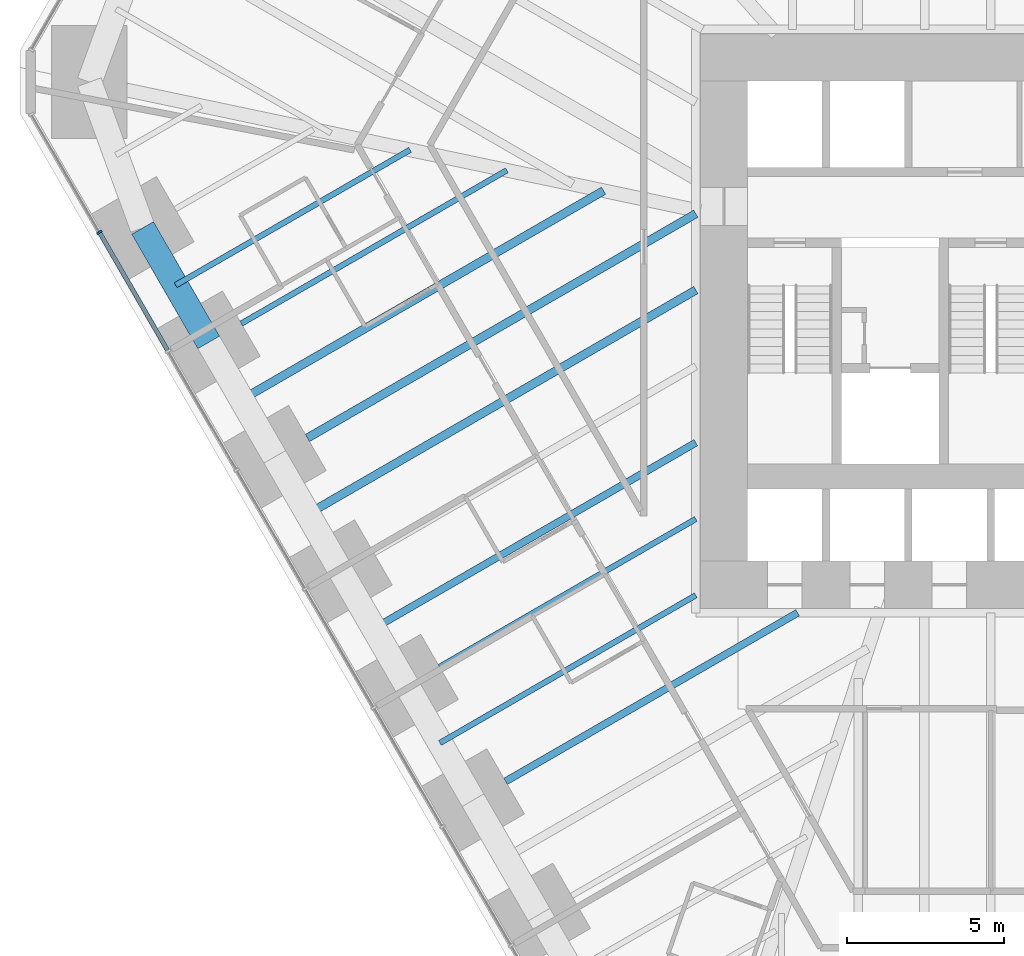
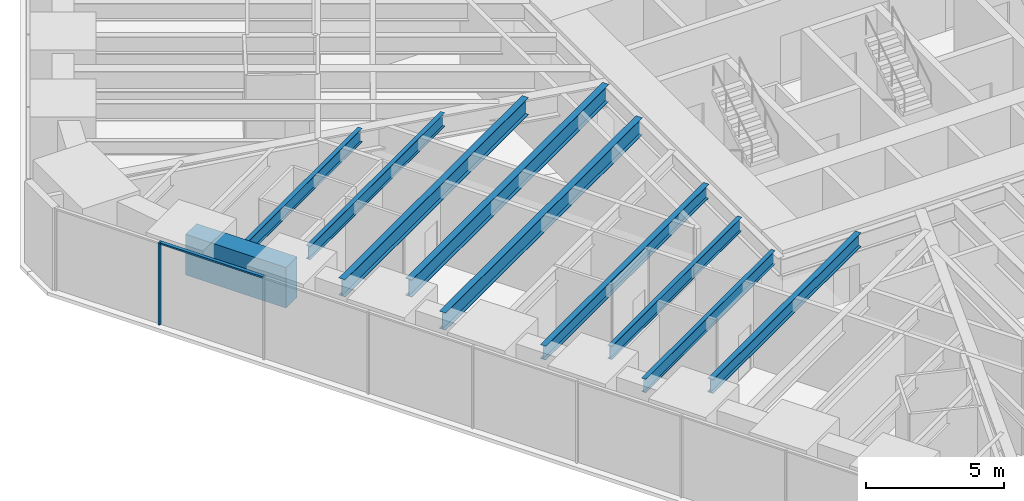
# One storey, part 3 of 17: 10 beams, 2 members, 1 element without a shape of its own.
"""IFC4 building model written with IfcOpenShell, lengths in metres."""

from ifc_helpers import new_model, si_unit, direction, frame, origin, origin_2d, place, context, subcontext, project, spatial, rectangle, i_section, extrude, material, material_profile, profile_set, type_object, element, aggregate, save


model = new_model("IFC4")

# Units and contexts
model_context = context("Model", 3, precision=1e-05, world=origin(), true_north=direction((0.0, 1.0)))
body_context = subcontext(model_context, "Body", "Model", "MODEL_VIEW")
ifc_project = project(units=[si_unit("LENGTHUNIT", "METRE"), si_unit("AREAUNIT", "SQUARE_METRE"), si_unit("VOLUMEUNIT", "CUBIC_METRE"), si_unit("PLANEANGLEUNIT", "RADIAN"), si_unit("MASSUNIT", "GRAM", prefix="KILO")], contexts=[model_context])

# Site, building, storey
site_placement = place(None, origin())
site = spatial("IfcSite", under=ifc_project, at=site_placement, CompositionType="ELEMENT")
building_placement = place(site_placement, origin())
building = spatial("IfcBuilding", under=site, at=building_placement, Name="Sandreach Pilgrim Tower", CompositionType="ELEMENT")
storey_placement = place(building_placement, frame((0.0, 0.0, 26.800048828125)))
storey = spatial("IfcBuildingStorey", under=building, at=storey_placement, Name="L05", CompositionType="ELEMENT", Elevation=26.800048828125)

# Curtain wall, members
ifc_material_1 = material(Name="Aluminium framed curtain wall", Category="aluminium")
curtain_wall_type = type_object("IfcCurtainWallType", Name="Hostel tower curtain wall", PredefinedType="NOTDEFINED", material=ifc_material_1)
curtain_wall_placement = place(storey_placement, origin())
curtain_wall = element("IfcCurtainWall", 1, at=curtain_wall_placement, inside=storey, type_object=curtain_wall_type, Name="CW-1 L05 SW", PredefinedType="NOTDEFINED")
ifc_material_2 = material(Name="Aluminium extrusion", Category="aluminium")
ifc_material_profile_1 = material_profile(ifc_material_2, rectangle(XDim=0.06494140625, YDim=0.179931640625, at=origin_2d()), Name="CW-1M 65X180")
ifc_profile_set_1 = profile_set([ifc_material_profile_1], Name="Aluminium extrusion")
member_type_1 = type_object("IfcMemberType", Name="CW-1 mullion", PredefinedType="MULLION", material=ifc_profile_set_1)
member_1_placement = place(storey_placement, frame((-28.390380859375, 1.2763671875, 0.0), z_axis=(0.0, 0.0, 1.0), x_axis=(-0.5, 0.866025403784, 0.0)))
member_1 = element("IfcMember", 2, at=member_1_placement, type_object=member_type_1, Name="CW-1 mullion 9", PredefinedType="MULLION", context=body_context, shape_type="SweptSolid", body=[
    extrude(rectangle(XDim=0.06494140625, YDim=0.179931640625, at=origin_2d()), origin(), (0.0, 0.0, 1.0), 3.639892578125),
])
ifc_material_3 = material(Name="Aluminium extrusion", Category="aluminium")
ifc_material_profile_2 = material_profile(ifc_material_3, rectangle(XDim=0.139892578125, YDim=0.070068359375, at=origin_2d()), Name="CW-1T 140X70")
ifc_profile_set_2 = profile_set([ifc_material_profile_2], Name="Aluminium extrusion")
member_type_2 = type_object("IfcMemberType", Name="CW-1 transom", PredefinedType="USERDEFINED", material=ifc_profile_set_2)
member_2_placement = place(storey_placement, frame((-26.220947265625, -2.4814453125, 3.60498046875), z_axis=(-0.500016891966, 0.866015650984, 0.0), x_axis=(-0.866015650984, -0.500016891966, 0.0)))
member_2 = element("IfcMember", 3, at=member_2_placement, type_object=member_type_2, Name="CW-1 head transom 8", ObjectType="TRANSOM", PredefinedType="USERDEFINED", context=body_context, shape_type="SweptSolid", body=[
    extrude(rectangle(XDim=0.139892578125, YDim=0.070068359375, at=origin_2d()), origin(), (0.0, 0.0, 1.0), 4.306396484375),
])
aggregate(curtain_wall, [member_1, member_2])

# Beams
ifc_material_4 = material(Name="Steel ASTM A992 Grade 50", Category="steel")
ifc_material_profile_3 = material_profile(ifc_material_4, i_section(OverallWidth=0.1787109375, OverallDepth=0.60205078125, WebThickness=0.010986328125, FlangeThickness=0.014892578125, at=origin_2d()), Name="W24X62")
ifc_profile_set_3 = profile_set([ifc_material_profile_3], Name="Steel ASTM A992 Grade 50")
beam_type_1 = type_object("IfcBeamType", Name="Floor beam W24X62", PredefinedType="BEAM", material=ifc_profile_set_3)
beam_1_placement = place(storey_placement, frame((-17.557373046875, -12.5673828125, 3.3388671875), z_axis=(0.866020839647, 0.500007905235, 0.0), x_axis=(-0.500007905235, 0.866020839647, 0.0)))
element("IfcBeam", 4, at=beam_1_placement, inside=storey, type_object=beam_type_1, Name="BM L05 F30", PredefinedType="BEAM", context=body_context, shape_type="SweptSolid", body=[
    extrude(i_section(OverallWidth=0.1787109375, OverallDepth=0.60205078125, WebThickness=0.010986328125, FlangeThickness=0.014892578125, at=origin_2d()), origin(), (0.0, 0.0, 1.0), 9.427001953125),
])
beam_2_placement = place(storey_placement, frame((-23.8720703125, -1.629638671875, 3.3388671875), z_axis=(0.866025751498, 0.499999397742, 0.0), x_axis=(-0.499999397742, 0.866025751498, 0.0)))
element("IfcBeam", 5, at=beam_2_placement, inside=storey, type_object=beam_type_1, Name="BM L05 F33", PredefinedType="BEAM", context=body_context, shape_type="SweptSolid", body=[
    extrude(i_section(OverallWidth=0.1787109375, OverallDepth=0.60205078125, WebThickness=0.010986328125, FlangeThickness=0.014892578125, at=origin_2d()), origin(), (0.0, 0.0, 1.0), 9.767578125),
])
beam_3_placement = place(storey_placement, frame((-17.5439453125, -14.990234375, 3.3388671875), z_axis=(0.86602359238, 0.500003137431, 0.0), x_axis=(-0.500003137431, 0.86602359238, 0.0)))
element("IfcBeam", 6, at=beam_3_placement, inside=storey, type_object=beam_type_1, Name="BM L05 FM29", PredefinedType="BEAM", context=body_context, shape_type="SweptSolid", body=[
    extrude(i_section(OverallWidth=0.1787109375, OverallDepth=0.60205078125, WebThickness=0.010986328125, FlangeThickness=0.014892578125, at=origin_2d()), origin(), (0.0, 0.0, 1.0), 9.41162109375),
])
beam_4_placement = place(storey_placement, frame((-25.9638671875, -0.40673828125, 3.3388671875), z_axis=(0.866020100198, 0.500009185969, 0.0), x_axis=(-0.500009185969, 0.866020100198, 0.0)))
element("IfcBeam", 7, at=beam_4_placement, inside=storey, type_object=beam_type_1, Name="BM L05 FM33", PredefinedType="BEAM", context=body_context, shape_type="SweptSolid", body=[
    extrude(i_section(OverallWidth=0.1787109375, OverallDepth=0.60205078125, WebThickness=0.010986328125, FlangeThickness=0.014892578125, at=origin_2d()), origin(), (0.0, 0.0, 1.0), 8.623291015625),
])
ifc_material_5 = material(Name="Steel ASTM A992 Grade 50", Category="steel")
ifc_material_profile_4 = material_profile(ifc_material_5, i_section(OverallWidth=0.23046875, OverallDepth=0.6171875, WebThickness=0.01318359375, FlangeThickness=0.022216796875, at=origin_2d()), Name="W24X94")
ifc_profile_set_4 = profile_set([ifc_material_profile_4], Name="Steel ASTM A992 Grade 50")
beam_type_2 = type_object("IfcBeamType", Name="Floor beam W24X94", PredefinedType="BEAM", material=ifc_profile_set_4)
beam_5_placement = place(storey_placement, frame((-15.452392578125, -16.213134765625, 3.331298828125), z_axis=(0.866028486751, 0.499994660107, 0.0), x_axis=(-0.499994660107, 0.866028486751, 0.0)))
element("IfcBeam", 8, at=beam_5_placement, inside=storey, type_object=beam_type_2, Name="BM L05 F29", PredefinedType="BEAM", context=body_context, shape_type="SweptSolid", body=[
    extrude(i_section(OverallWidth=0.23046875, OverallDepth=0.6171875, WebThickness=0.01318359375, FlangeThickness=0.022216796875, at=origin_2d()), origin(), (0.0, 0.0, 1.0), 10.73974609375),
])
beam_6_placement = place(storey_placement, frame((-19.64892578125, -11.34423828125, 3.331298828125), z_axis=(0.866032123691, 0.4999883606, 0.0), x_axis=(-0.4999883606, 0.866032123691, 0.0)))
element("IfcBeam", 9, at=beam_6_placement, inside=storey, type_object=beam_type_2, Name="BM L05 FM30", PredefinedType="BEAM", context=body_context, shape_type="SweptSolid", body=[
    extrude(i_section(OverallWidth=0.23046875, OverallDepth=0.6171875, WebThickness=0.01318359375, FlangeThickness=0.022216796875, at=origin_2d()), origin(), (0.0, 0.0, 1.0), 11.842041015625),
])
ifc_material_6 = material(Name="Steel ASTM A992 Grade 50", Category="steel")
ifc_material_profile_5 = material_profile(ifc_material_6, i_section(OverallWidth=0.2666015625, OverallDepth=0.761962890625, WebThickness=0.014404296875, FlangeThickness=0.021484375, at=origin_2d()), Name="W30X116")
ifc_profile_set_5 = profile_set([ifc_material_profile_5], Name="Steel ASTM A992 Grade 50")
beam_type_3 = type_object("IfcBeamType", Name="Floor beam W30X116", PredefinedType="BEAM", material=ifc_profile_set_5)
beam_7_placement = place(storey_placement, frame((-21.76708984375, -5.275390625, 3.259033203125), z_axis=(0.866024247282, 0.500002003116, 0.0), x_axis=(-0.500002003116, 0.866024247282, 0.0)))
element("IfcBeam", 10, at=beam_7_placement, inside=storey, type_object=beam_type_3, Name="BM L05 F32", PredefinedType="BEAM", context=body_context, shape_type="SweptSolid", body=[
    extrude(i_section(OverallWidth=0.2666015625, OverallDepth=0.761962890625, WebThickness=0.014404296875, FlangeThickness=0.021484375, at=origin_2d()), origin(), (0.0, 0.0, 1.0), 14.2880859375),
])
beam_8_placement = place(storey_placement, frame((-21.75390625, -7.698486328125, 3.259033203125), z_axis=(0.866022935671, 0.500004274874, 0.0), x_axis=(-0.500004274874, 0.866022935671, 0.0)))
element("IfcBeam", 11, at=beam_8_placement, inside=storey, type_object=beam_type_3, Name="BM L05 FM31", PredefinedType="BEAM", context=body_context, shape_type="SweptSolid", body=[
    extrude(i_section(OverallWidth=0.2666015625, OverallDepth=0.761962890625, WebThickness=0.014404296875, FlangeThickness=0.021484375, at=origin_2d()), origin(), (0.0, 0.0, 1.0), 14.27294921875),
])
beam_9_placement = place(storey_placement, frame((-23.85888671875, -4.052490234375, 3.259033203125), z_axis=(0.866029213426, 0.499993401449, 0.0), x_axis=(-0.499993401449, 0.866029213426, 0.0)))
element("IfcBeam", 12, at=beam_9_placement, inside=storey, type_object=beam_type_3, Name="BM L05 FM32", PredefinedType="BEAM", context=body_context, shape_type="SweptSolid", body=[
    extrude(i_section(OverallWidth=0.2666015625, OverallDepth=0.761962890625, WebThickness=0.014404296875, FlangeThickness=0.021484375, at=origin_2d()), origin(), (0.0, 0.0, 1.0), 13.311767578125),
])
ifc_material_7 = material(Name="Concrete 10000 psi", Category="concrete")
ifc_material_profile_6 = material_profile(ifc_material_7, rectangle(XDim=0.800048828125, YDim=1.800048828125, at=origin_2d()), Name="RC800X1800")
ifc_profile_set_6 = profile_set([ifc_material_profile_6], Name="Concrete 10000 psi")
beam_type_4 = type_object("IfcBeamType", Name="Spandrel beam RC800X1800", PredefinedType="SPANDREL", material=ifc_profile_set_6)
beam_10_placement = place(storey_placement, frame((-24.911376953125, -2.229736328125, 2.739990234375), z_axis=(-0.499993523031, 0.866029143232, 0.0), x_axis=(-0.866029143232, -0.499993523031, 0.0)))
element("IfcBeam", 13, at=beam_10_placement, inside=storey, type_object=beam_type_4, Name="BM L05 SP33", PredefinedType="SPANDREL", context=body_context, shape_type="SweptSolid", body=[
    extrude(rectangle(XDim=0.800048828125, YDim=1.800048828125, at=origin_2d()), origin(), (0.0, 0.0, 1.0), 4.2099609375),
])

save(model, "model.ifc")
